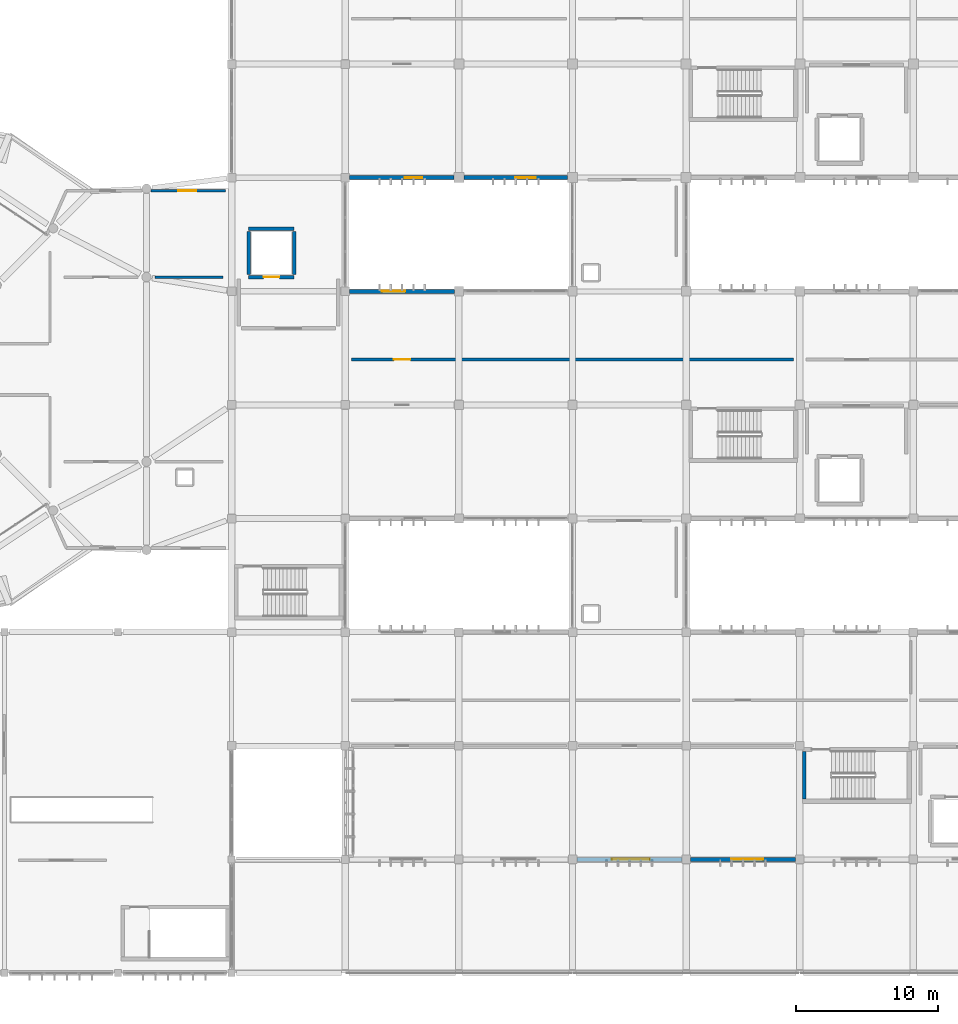
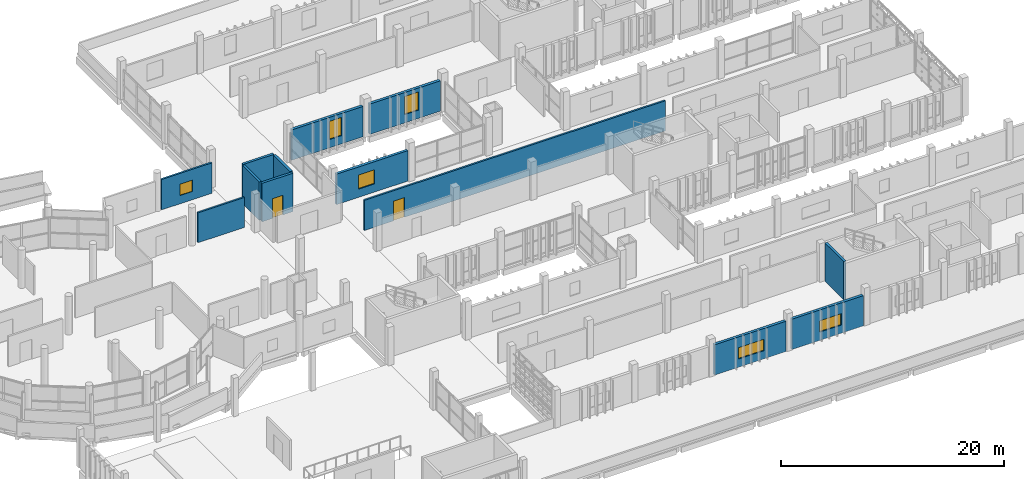
# One storey, part 111 of 137: 13 walls, 6 windows, 2 doors, 8 openings.
"""IFC4 building model written with IfcOpenShell, lengths in metres."""

from ifc_helpers import new_model, si_unit, direction, frame, frame_2d, origin, place, context, subcontext, project, spatial, rectangle, extrude, material, layer, layer_set, type_object, element, fill, save


model = new_model("IFC4")

# Units and contexts
model_context = context("Model", 3, precision=1e-05, world=origin(), true_north=direction((0.0, 1.0)))
body_context = subcontext(model_context, "Body", "Model", "MODEL_VIEW")
ifc_project = project(units=[si_unit("LENGTHUNIT", "METRE"), si_unit("AREAUNIT", "SQUARE_METRE"), si_unit("VOLUMEUNIT", "CUBIC_METRE"), si_unit("PLANEANGLEUNIT", "RADIAN"), si_unit("MASSUNIT", "GRAM", prefix="KILO")], contexts=[model_context])

# Site, building, storey
site_placement = place(None, origin())
site = spatial("IfcSite", under=ifc_project, at=site_placement, CompositionType="ELEMENT")
building_placement = place(site_placement, origin())
building = spatial("IfcBuilding", under=site, at=building_placement, Name="Jelvoka-Kovrelna Polytechnic", CompositionType="ELEMENT")
storey_placement = place(building_placement, frame((0.0, 0.0, 9.60009765625)))
storey = spatial("IfcBuildingStorey", under=building, at=storey_placement, Name="L03", CompositionType="ELEMENT", Elevation=9.60009765625)

# Wall
ifc_material_1 = material(Name="Concrete C40/50", Category="concrete")
ifc_layer_1 = layer(ifc_material_1, 0.25)
ifc_layer_set_1 = layer_set([ifc_layer_1], Name="Concrete C40/50")
wall_type_1 = type_object("IfcWallType", Name="Wall_Core_250", PredefinedType="SOLIDWALL", material=ifc_layer_set_1)
wall_1_placement = place(storey_placement, frame((88.324951171875, 12.25, 0.0), z_axis=(0.0, 0.0, 1.0), x_axis=(0.0, 1.0, 0.0)))
element("IfcWall", 1, at=wall_1_placement, inside=storey, type_object=wall_type_1, Name="L03 interior wall 0076", PredefinedType="SOLIDWALL", context=body_context, shape_type="SweptSolid", body=[
    extrude(rectangle(XDim=3.360107421875, YDim=0.25, at=frame_2d((1.68017578125, 0.0))), origin(), (0.0, 0.0, 1.0), 4.199951171875),
])

# Wall, opening, door
wall_2_placement = place(storey_placement, frame((49.199951171875, 49.0, 0.0), z_axis=(0.0, 0.0, 1.0), x_axis=(1.0, 0.0, 0.0)))
wall_2 = element("IfcWall", 2, at=wall_2_placement, inside=storey, type_object=wall_type_1, Name="L03 interior wall 0577", PredefinedType="SOLIDWALL", context=body_context, shape_type="SweptSolid", body=[
    extrude(rectangle(XDim=3.199951171875, YDim=0.25, at=frame_2d((1.60009765625, 0.0))), origin(), (0.0, 0.0, 1.0), 4.199951171875),
])
opening_1_placement = place(wall_2_placement, frame((1.050048828125, 0.0, 0.0)))
opening_1 = element("IfcOpeningElement", 3, at=opening_1_placement, cuts=wall_2, Name="Opening LD-L03-41", PredefinedType="OPENING", context=body_context, shape_type="SweptSolid", body=[
    extrude(rectangle(XDim=1.10009765625, YDim=2.14990234375, at=frame_2d((0.550048828125, 1.074951171875))), frame((0.0, 0.135009765625, 0.0), z_axis=(0.0, -1.0, 0.0), x_axis=(1.0, 0.0, 0.0)), (0.0, 0.0, 1.0), 0.27001953125),
])
ifc_material_2 = material(Name="Brushed stainless steel sliding landing door", Category="steel")
door_type_1 = type_object("IfcDoorType", Name="Door_Lift_LD01", OperationType="NOTDEFINED", PredefinedType="DOOR", material=ifc_material_2)
door_1_placement = place(opening_1_placement, origin())
door_1 = element("IfcDoor", 4, at=door_1_placement, inside=storey, type_object=door_type_1, Name="L03 lift landing sliding door LD-L03-41", OperationType="DOUBLE_DOOR_SLIDING", OverallHeight=2.14990234375, OverallWidth=1.10009765625, PredefinedType="DOOR", context=body_context, shape_type="SweptSolid", body=[
    extrude(rectangle(XDim=1.10009765625, YDim=2.14990234375, at=frame_2d((0.550048828125, 1.074951171875))), frame((0.0, 0.02490234375, 0.0), z_axis=(0.0, -1.0, 0.0), x_axis=(1.0, 0.0, 0.0)), (0.0, 0.0, 1.0), 0.050048828125),
])
fill(opening_1, door_1)

# Walls
wall_3_placement = place(storey_placement, frame((49.199951171875, 52.39990234375, 0.0), z_axis=(0.0, 0.0, 1.0), x_axis=(1.0, 0.0, 0.0)))
element("IfcWall", 5, at=wall_3_placement, inside=storey, type_object=wall_type_1, Name="L03 interior wall 0578", PredefinedType="SOLIDWALL", context=body_context, shape_type="SweptSolid", body=[
    extrude(rectangle(XDim=3.199951171875, YDim=0.25, at=frame_2d((1.60009765625, 0.0))), origin(), (0.0, 0.0, 1.0), 4.199951171875),
])
for number, where, z_axis, x_axis, name in (
    (6, (49.199951171875, 49.199951171875, 0.0), (0.0, 0.0, 1.0), (0.0, 1.0, 0.0), "L03 interior wall 0579"),
    (7, (52.39990234375, 49.199951171875, 0.0), (0.0, 0.0, 1.0), (0.0, 1.0, 0.0), "L03 interior wall 0580"),
):
    element("IfcWall", number, at=place(storey_placement, frame(where, z_axis=z_axis, x_axis=x_axis)), inside=storey, type_object=wall_type_1, Name=name, PredefinedType="SOLIDWALL", context=body_context, shape_type="SweptSolid", body=[
        extrude(rectangle(XDim=3.0, YDim=0.25, at=frame_2d((1.5, 0.0))), origin(), (0.0, 0.0, 1.0), 4.199951171875),
    ])

# Wall, opening, door
ifc_material_3 = material(Name="Autoclaved aerated concrete blockwork", Category="masonry")
ifc_layer_2 = layer(ifc_material_3, 0.179931640625)
ifc_layer_set_2 = layer_set([ifc_layer_2], Name="Autoclaved aerated concrete blockwork")
wall_type_2 = type_object("IfcWallType", Name="Wall_Corridor_180", PredefinedType="PARTITIONING", material=ifc_layer_set_2)
wall_4_placement = place(storey_placement, frame((56.429931640625, 43.199951171875, 0.0), z_axis=(0.0, 0.0, 1.0), x_axis=(1.0, 0.0, 0.0)))
wall_4 = element("IfcWall", 8, at=wall_4_placement, inside=storey, type_object=wall_type_2, Name="L03 interior wall 1052", PredefinedType="PARTITIONING", context=body_context, shape_type="SweptSolid", body=[
    extrude(rectangle(XDim=31.14013671875, YDim=0.179931640625, at=frame_2d((15.570068359375, 0.0))), origin(), (0.0, 0.0, 1.0), 3.2998046875),
])
opening_2_placement = place(wall_4_placement, frame((2.9951171875, 0.0, 0.0)))
opening_2 = element("IfcOpeningElement", 9, at=opening_2_placement, cuts=wall_4, Name="Opening D-L03-292", PredefinedType="OPENING", context=body_context, shape_type="SweptSolid", body=[
    extrude(rectangle(XDim=1.14990234375, YDim=2.14990234375, at=frame_2d((0.574951171875, 1.074951171875))), frame((0.0, 0.099853515625, 0.0), z_axis=(0.0, -1.0, 0.0), x_axis=(1.0, 0.0, 0.0)), (0.0, 0.0, 1.0), 0.199951171875),
])
ifc_material_4 = material(Name="Hardwood fire-resisting laboratory door", Category="wood")
door_type_2 = type_object("IfcDoorType", Name="Door_Fire_FD30_03", OperationType="NOTDEFINED", PredefinedType="DOOR", material=ifc_material_4)
door_2_placement = place(opening_2_placement, origin())
door_2 = element("IfcDoor", 10, at=door_2_placement, inside=storey, type_object=door_type_2, Name="L03 interior door D-L03-292", OperationType="SINGLE_SWING_LEFT", OverallHeight=2.14990234375, OverallWidth=1.14990234375, PredefinedType="DOOR", context=body_context, shape_type="SweptSolid", body=[
    extrude(rectangle(XDim=1.14990234375, YDim=2.14990234375, at=frame_2d((0.574951171875, 1.074951171875))), frame((0.0, 0.02490234375, 0.0), z_axis=(0.0, -1.0, 0.0), x_axis=(1.0, 0.0, 0.0)), (0.0, 0.0, 1.0), 0.050048828125),
])
fill(opening_2, door_2)

# Wall
wall_5_placement = place(storey_placement, frame((42.60009765625, 49.0, 0.0), z_axis=(0.0, 0.0, 1.0), x_axis=(1.0, 0.0, 0.0)))
element("IfcWall", 11, at=wall_5_placement, inside=storey, type_object=wall_type_2, Name="L03 interior wall 1088", PredefinedType="PARTITIONING", context=body_context, shape_type="SweptSolid", body=[
    extrude(rectangle(XDim=4.7998046875, YDim=0.179931640625, at=frame_2d((2.39990234375, 0.0))), origin(), (0.0, 0.0, 1.0), 3.27490234375),
])

# Wall, opening, window
ifc_material_5 = material(Name="Precast concrete C40/50", Category="concrete")
ifc_layer_3 = layer(ifc_material_5, 0.18505859375)
ifc_layer_set_3 = layer_set([ifc_layer_3], Name="Precast concrete C40/50")
wall_type_3 = type_object("IfcWallType", Name="Wall_Ext_White_260", PredefinedType="STANDARD", material=ifc_layer_set_3)
wall_6_placement = place(storey_placement, frame((42.322021484375, 55.077880859375, 0.0), z_axis=(0.0, 0.0, 1.0), x_axis=(1.0, 0.0, 0.0)))
wall_6 = element("IfcWall", 12, at=wall_6_placement, inside=storey, type_object=wall_type_3, Name="L03 exterior wall 0997", PredefinedType="STANDARD", context=body_context, shape_type="SweptSolid", body=[
    extrude(rectangle(XDim=5.22802734375, YDim=0.18505859375, at=frame_2d((2.614013671875, 0.0))), origin(), (0.0, 0.0, 1.0), 3.324951171875),
])
opening_3_placement = place(wall_6_placement, frame((1.927978515625, 0.0, 0.89990234375)))
opening_3 = element("IfcOpeningElement", 13, at=opening_3_placement, cuts=wall_6, Name="Opening W-L03-548", PredefinedType="OPENING", context=body_context, shape_type="SweptSolid", body=[
    extrude(rectangle(XDim=1.25, YDim=1.25, at=frame_2d((0.625, 0.625))), frame((0.0, 0.1025390625, 0.0), z_axis=(0.0, -1.0, 0.0), x_axis=(1.0, 0.0, 0.0)), (0.0, 0.0, 1.0), 0.205078125),
])
ifc_material_6 = material(Name="Thermally broken anodised aluminium and low-e glazing", Category="aluminium")
window_type_1 = type_object("IfcWindowType", Name="Win_Casement_W02", PartitioningType="SINGLE_PANEL", PredefinedType="WINDOW", material=ifc_material_6)
window_1_placement = place(opening_3_placement, origin())
window_1 = element("IfcWindow", 14, at=window_1_placement, inside=storey, type_object=window_type_1, Name="L03 aluminium casement window W-L03-548", OverallHeight=1.25, OverallWidth=1.25, PartitioningType="SINGLE_PANEL", PredefinedType="WINDOW", context=body_context, shape_type="SweptSolid", body=[
    extrude(rectangle(XDim=1.25, YDim=1.25, at=frame_2d((0.625, 0.625))), frame((0.0, 0.030029296875, 0.0), z_axis=(0.0, -1.0, 0.0), x_axis=(1.0, 0.0, 0.0)), (0.0, 0.0, 1.0), 0.06005859375),
])
fill(opening_3, window_1)

ifc_material_7 = material(Name="Precast concrete C40/50", Category="concrete")
ifc_layer_4 = layer(ifc_material_7, 0.280029296875)
ifc_layer_set_4 = layer_set([ifc_layer_4], Name="Precast concrete C40/50")
wall_type_4 = type_object("IfcWallType", Name="Wall_Ext_White_280", PredefinedType="STANDARD", material=ifc_layer_set_4)
wall_7_placement = place(storey_placement, frame((79.702880859375, 8.0, 0.0), z_axis=(0.0, 0.0, 1.0), x_axis=(-1.0, 0.0, 0.0)))
wall_7 = element("IfcWall", 15, at=wall_7_placement, inside=storey, type_object=wall_type_4, Name="L03 exterior wall 0286", PredefinedType="STANDARD", context=body_context, shape_type="SweptSolid", body=[
    extrude(rectangle(XDim=7.40576171875, YDim=0.280029296875, at=frame_2d((3.702880859375, 0.0))), origin(), (0.0, 0.0, 1.0), 3.324951171875),
])
opening_4_placement = place(wall_7_placement, frame((2.282958984375, 0.0, 0.89990234375)))
opening_4 = element("IfcOpeningElement", 16, at=opening_4_placement, cuts=wall_7, Name="Opening W-L03-048", PredefinedType="OPENING", context=body_context, shape_type="SweptSolid", body=[
    extrude(rectangle(XDim=2.64990234375, YDim=1.25, at=frame_2d((1.324951171875, 0.625))), frame((0.0, 0.150146484375, 0.0), z_axis=(0.0, -1.0, 0.0), x_axis=(1.0, 0.0, 0.0)), (0.0, 0.0, 1.0), 0.300048828125),
])
ifc_material_8 = material(Name="Thermally broken anodised aluminium and low-e glazing", Category="aluminium")
window_type_2 = type_object("IfcWindowType", Name="Win_Casement_W09", PartitioningType="DOUBLE_PANEL_VERTICAL", PredefinedType="WINDOW", material=ifc_material_8)
window_2_placement = place(opening_4_placement, origin())
window_2 = element("IfcWindow", 17, at=window_2_placement, inside=storey, type_object=window_type_2, Name="L03 aluminium casement window W-L03-048", OverallHeight=1.25, OverallWidth=2.64990234375, PartitioningType="DOUBLE_PANEL_VERTICAL", PredefinedType="WINDOW", context=body_context, shape_type="SweptSolid", body=[
    extrude(rectangle(XDim=2.64990234375, YDim=1.25, at=frame_2d((1.324951171875, 0.625))), frame((0.0, 0.030029296875, 0.0), z_axis=(0.0, -1.0, 0.0), x_axis=(1.0, 0.0, 0.0)), (0.0, 0.0, 1.0), 0.06005859375),
])
fill(opening_4, window_2)

wall_8_placement = place(storey_placement, frame((87.702880859375, 8.0, 0.0), z_axis=(0.0, 0.0, 1.0), x_axis=(-1.0, 0.0, 0.0)))
wall_8 = element("IfcWall", 18, at=wall_8_placement, inside=storey, type_object=wall_type_4, Name="L03 exterior wall 0287", PredefinedType="STANDARD", context=body_context, shape_type="SweptSolid", body=[
    extrude(rectangle(XDim=7.40576171875, YDim=0.280029296875, at=frame_2d((3.702880859375, 0.0))), origin(), (0.0, 0.0, 1.0), 3.324951171875),
])
opening_5_placement = place(wall_8_placement, frame((2.282958984375, 0.0, 0.89990234375)))
opening_5 = element("IfcOpeningElement", 19, at=opening_5_placement, cuts=wall_8, Name="Opening W-L03-049", PredefinedType="OPENING", context=body_context, shape_type="SweptSolid", body=[
    extrude(rectangle(XDim=2.25, YDim=1.25, at=frame_2d((1.125, 0.625))), frame((0.0, 0.150146484375, 0.0), z_axis=(0.0, -1.0, 0.0), x_axis=(1.0, 0.0, 0.0)), (0.0, 0.0, 1.0), 0.300048828125),
])
ifc_material_9 = material(Name="Thermally broken anodised aluminium and low-e glazing", Category="aluminium")
window_type_3 = type_object("IfcWindowType", Name="Win_Casement_W07", PartitioningType="DOUBLE_PANEL_VERTICAL", PredefinedType="WINDOW", material=ifc_material_9)
window_3_placement = place(opening_5_placement, origin())
window_3 = element("IfcWindow", 20, at=window_3_placement, inside=storey, type_object=window_type_3, Name="L03 aluminium casement window W-L03-049", OverallHeight=1.25, OverallWidth=2.25, PartitioningType="DOUBLE_PANEL_VERTICAL", PredefinedType="WINDOW", context=body_context, shape_type="SweptSolid", body=[
    extrude(rectangle(XDim=2.25, YDim=1.25, at=frame_2d((1.125, 0.625))), frame((0.0, 0.030029296875, 0.0), z_axis=(0.0, -1.0, 0.0), x_axis=(1.0, 0.0, 0.0)), (0.0, 0.0, 1.0), 0.06005859375),
])
fill(opening_5, window_3)

wall_9_placement = place(storey_placement, frame((56.297119140625, 48.0, 0.0), z_axis=(0.0, 0.0, 1.0), x_axis=(1.0, 0.0, 0.0)))
wall_9 = element("IfcWall", 21, at=wall_9_placement, inside=storey, type_object=wall_type_4, Name="L03 exterior wall 0389", PredefinedType="STANDARD", context=body_context, shape_type="SweptSolid", body=[
    extrude(rectangle(XDim=7.380859375, YDim=0.280029296875, at=frame_2d((3.6904296875, 0.0))), origin(), (0.0, 0.0, 1.0), 3.324951171875),
])
opening_6_placement = place(wall_9_placement, frame((2.282958984375, 0.0, 0.89990234375)))
opening_6 = element("IfcOpeningElement", 22, at=opening_6_placement, cuts=wall_9, Name="Opening W-L03-130", PredefinedType="OPENING", context=body_context, shape_type="SweptSolid", body=[
    extrude(rectangle(XDim=1.64990234375, YDim=1.550048828125, at=frame_2d((0.824951171875, 0.77490234375))), frame((0.0, 0.150146484375, 0.0), z_axis=(0.0, -1.0, 0.0), x_axis=(1.0, 0.0, 0.0)), (0.0, 0.0, 1.0), 0.300048828125),
])
ifc_material_10 = material(Name="Thermally broken anodised aluminium and low-e glazing", Category="aluminium")
window_type_4 = type_object("IfcWindowType", Name="Win_Casement_W24", PartitioningType="DOUBLE_PANEL_VERTICAL", PredefinedType="WINDOW", material=ifc_material_10)
window_4_placement = place(opening_6_placement, origin())
window_4 = element("IfcWindow", 23, at=window_4_placement, inside=storey, type_object=window_type_4, Name="L03 aluminium casement window W-L03-130", OverallHeight=1.550048828125, OverallWidth=1.64990234375, PartitioningType="DOUBLE_PANEL_VERTICAL", PredefinedType="WINDOW", context=body_context, shape_type="SweptSolid", body=[
    extrude(rectangle(XDim=1.64990234375, YDim=1.550048828125, at=frame_2d((0.824951171875, 0.77490234375))), frame((0.0, 0.030029296875, 0.0), z_axis=(0.0, -1.0, 0.0), x_axis=(1.0, 0.0, 0.0)), (0.0, 0.0, 1.0), 0.06005859375),
])
fill(opening_6, window_4)

wall_10_placement = place(storey_placement, frame((63.653076171875, 56.0, 0.0), z_axis=(0.0, 0.0, 1.0), x_axis=(-1.0, 0.0, 0.0)))
wall_10 = element("IfcWall", 24, at=wall_10_placement, inside=storey, type_object=wall_type_4, Name="L03 exterior wall 0639", PredefinedType="STANDARD", context=body_context, shape_type="SweptSolid", body=[
    extrude(rectangle(XDim=7.35595703125, YDim=0.280029296875, at=frame_2d((3.677978515625, 0.0))), origin(), (0.0, 0.0, 1.0), 3.324951171875),
])
opening_7_placement = place(wall_10_placement, frame((2.23291015625, 0.0, 0.89990234375)))
opening_7 = element("IfcOpeningElement", 25, at=opening_7_placement, cuts=wall_10, Name="Opening W-L03-309", PredefinedType="OPENING", context=body_context, shape_type="SweptSolid", body=[
    extrude(rectangle(XDim=1.25, YDim=2.0, at=frame_2d((0.625, 1.0))), frame((0.0, 0.150146484375, 0.0), z_axis=(0.0, -1.0, 0.0), x_axis=(1.0, 0.0, 0.0)), (0.0, 0.0, 1.0), 0.300048828125),
])
ifc_material_11 = material(Name="Thermally broken anodised aluminium and low-e glazing", Category="aluminium")
window_type_5 = type_object("IfcWindowType", Name="Win_Casement_W52", PartitioningType="SINGLE_PANEL", PredefinedType="WINDOW", material=ifc_material_11)
window_5_placement = place(opening_7_placement, origin())
window_5 = element("IfcWindow", 26, at=window_5_placement, inside=storey, type_object=window_type_5, Name="L03 aluminium casement window W-L03-309", OverallHeight=2.0, OverallWidth=1.25, PartitioningType="SINGLE_PANEL", PredefinedType="WINDOW", context=body_context, shape_type="SweptSolid", body=[
    extrude(rectangle(XDim=1.25, YDim=2.0, at=frame_2d((0.625, 1.0))), frame((0.0, 0.030029296875, 0.0), z_axis=(0.0, -1.0, 0.0), x_axis=(1.0, 0.0, 0.0)), (0.0, 0.0, 1.0), 0.06005859375),
])
fill(opening_7, window_5)

wall_11_placement = place(storey_placement, frame((71.653076171875, 56.0, 0.0), z_axis=(0.0, 0.0, 1.0), x_axis=(-1.0, 0.0, 0.0)))
wall_11 = element("IfcWall", 27, at=wall_11_placement, inside=storey, type_object=wall_type_4, Name="L03 exterior wall 0641", PredefinedType="STANDARD", context=body_context, shape_type="SweptSolid", body=[
    extrude(rectangle(XDim=7.30615234375, YDim=0.280029296875, at=frame_2d((3.653076171875, 0.0))), origin(), (0.0, 0.0, 1.0), 3.324951171875),
])
opening_8_placement = place(wall_11_placement, frame((2.23291015625, 0.0, 0.89990234375)))
opening_8 = element("IfcOpeningElement", 28, at=opening_8_placement, cuts=wall_11, Name="Opening W-L03-311", PredefinedType="OPENING", context=body_context, shape_type="SweptSolid", body=[
    extrude(rectangle(XDim=1.449951171875, YDim=2.0, at=frame_2d((0.72509765625, 1.0))), frame((0.0, 0.150146484375, 0.0), z_axis=(0.0, -1.0, 0.0), x_axis=(1.0, 0.0, 0.0)), (0.0, 0.0, 1.0), 0.300048828125),
])
ifc_material_12 = material(Name="Thermally broken anodised aluminium and low-e glazing", Category="aluminium")
window_type_6 = type_object("IfcWindowType", Name="Win_Casement_W53", PartitioningType="SINGLE_PANEL", PredefinedType="WINDOW", material=ifc_material_12)
window_6_placement = place(opening_8_placement, origin())
window_6 = element("IfcWindow", 29, at=window_6_placement, inside=storey, type_object=window_type_6, Name="L03 aluminium casement window W-L03-311", OverallHeight=2.0, OverallWidth=1.449951171875, PartitioningType="SINGLE_PANEL", PredefinedType="WINDOW", context=body_context, shape_type="SweptSolid", body=[
    extrude(rectangle(XDim=1.449951171875, YDim=2.0, at=frame_2d((0.72509765625, 1.0))), frame((0.0, 0.030029296875, 0.0), z_axis=(0.0, -1.0, 0.0), x_axis=(1.0, 0.0, 0.0)), (0.0, 0.0, 1.0), 0.06005859375),
])
fill(opening_8, window_6)

save(model, "model.ifc")
